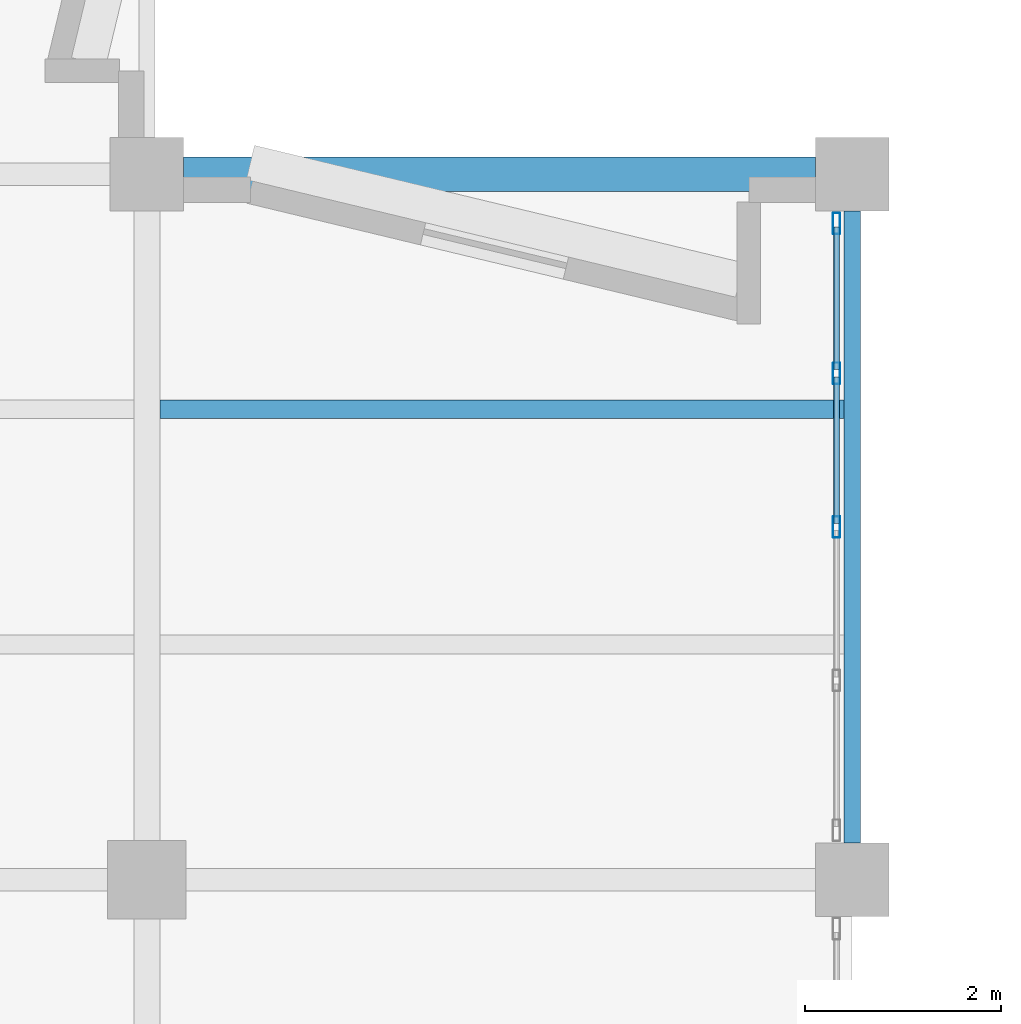
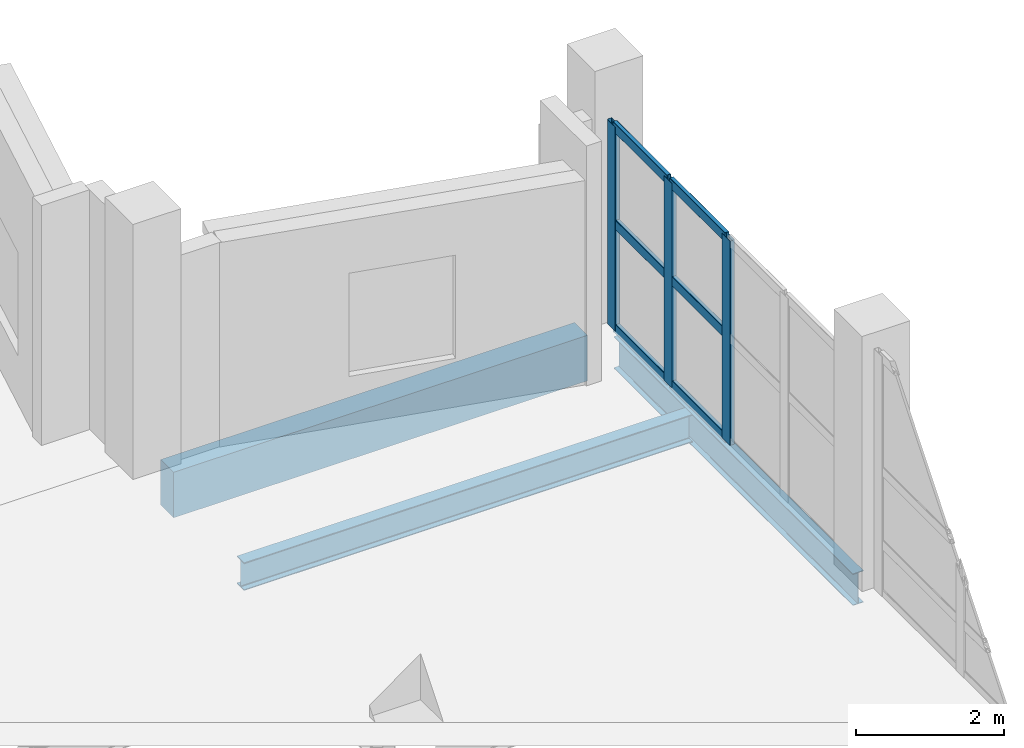
# One storey, part 31 of 94: 9 members, 3 beams, 1 element without a shape of its own.
"""IFC4 building model written with IfcOpenShell, lengths in metres."""

from ifc_helpers import new_model, si_unit, direction, frame, origin, origin_2d, place, context, subcontext, project, spatial, rectangle, hollow_rectangle, i_section, extrude, material, material_profile, profile_set, type_object, element, aggregate, save


model = new_model("IFC4")

# Units and contexts
model_context = context("Model", 3, precision=1e-05, world=origin(), true_north=direction((0.0, 1.0)))
body_context = subcontext(model_context, "Body", "Model", "MODEL_VIEW")
ifc_project = project(units=[si_unit("LENGTHUNIT", "METRE"), si_unit("AREAUNIT", "SQUARE_METRE"), si_unit("VOLUMEUNIT", "CUBIC_METRE"), si_unit("PLANEANGLEUNIT", "RADIAN"), si_unit("MASSUNIT", "GRAM", prefix="KILO")], contexts=[model_context])

# Site, building, storey
site_placement = place(None, origin())
site = spatial("IfcSite", under=ifc_project, at=site_placement, CompositionType="ELEMENT")
building_placement = place(site_placement, origin())
building = spatial("IfcBuilding", under=site, at=building_placement, Name="Kalmorath City Hall", CompositionType="ELEMENT")
storey_placement = place(building_placement, frame((0.0, 0.0, 14.699951171875)))
storey = spatial("IfcBuildingStorey", under=building, at=storey_placement, Name="L03", CompositionType="ELEMENT", Elevation=14.699951171875)

# Curtain wall, members
ifc_material_1 = material(Name="Anodised aluminium and laminated glass", Category="aluminium")
curtain_wall_type = type_object("IfcCurtainWallType", Name="Unitised hurricane curtain wall 6270x3366 M1500", PredefinedType="NOTDEFINED", material=ifc_material_1)
curtain_wall_placement = place(storey_placement, origin())
curtain_wall = element("IfcCurtainWall", 1, at=curtain_wall_placement, inside=storey, type_object=curtain_wall_type, Name="L03 curtain wall CW-63X34M15 #155", PredefinedType="NOTDEFINED")
ifc_material_2 = material(Name="Anodised aluminium framing", Category="aluminium")
ifc_material_profile_1 = material_profile(ifc_material_2, hollow_rectangle(XDim=0.074951171875, YDim=0.219970703125, WallThickness=0.00390625, InnerFilletRadius=0.00390625, OuterFilletRadius=0.008056640625, at=origin_2d()), Name="ALU-MUL-220X75X4")
ifc_profile_set_1 = profile_set([ifc_material_profile_1], Name="Anodised aluminium framing")
member_type_1 = type_object("IfcMemberType", Name="Curtain-wall primary mullion 220x75", PredefinedType="MULLION", material=ifc_profile_set_1)
member_1_placement = place(storey_placement, frame((35.840087890625, 35.49755859375, 0.0), z_axis=(0.0, 0.0, 1.0), x_axis=(1.0, 0.0, 0.0)))
member_1 = element("IfcMember", 2, at=member_1_placement, type_object=member_type_1, Name="CW-63X34M15 mullion 1", PredefinedType="MULLION", context=body_context, shape_type="SweptSolid", body=[
    extrude(hollow_rectangle(XDim=0.074951171875, YDim=0.219970703125, WallThickness=0.00390625, InnerFilletRadius=0.00390625, OuterFilletRadius=0.008056640625, at=origin_2d()), origin(), (0.0, 0.0, 1.0), 3.365966796875),
])
member_2_placement = place(storey_placement, frame((35.840087890625, 33.967529296875, 0.0), z_axis=(0.0, 0.0, 1.0), x_axis=(1.0, 0.0, 0.0)))
member_2 = element("IfcMember", 3, at=member_2_placement, type_object=member_type_1, Name="CW-63X34M15 mullion 2", PredefinedType="MULLION", context=body_context, shape_type="SweptSolid", body=[
    extrude(hollow_rectangle(XDim=0.074951171875, YDim=0.219970703125, WallThickness=0.00390625, InnerFilletRadius=0.00390625, OuterFilletRadius=0.008056640625, at=origin_2d()), origin(), (0.0, 0.0, 1.0), 3.365966796875),
])
member_3_placement = place(storey_placement, frame((35.840087890625, 32.39990234375, 0.0), z_axis=(0.0, 0.0, 1.0), x_axis=(1.0, 0.0, 0.0)))
member_3 = element("IfcMember", 4, at=member_3_placement, type_object=member_type_1, Name="CW-63X34M15 mullion 3", PredefinedType="MULLION", context=body_context, shape_type="SweptSolid", body=[
    extrude(hollow_rectangle(XDim=0.074951171875, YDim=0.219970703125, WallThickness=0.00390625, InnerFilletRadius=0.00390625, OuterFilletRadius=0.008056640625, at=origin_2d()), origin(), (0.0, 0.0, 1.0), 3.365966796875),
])
ifc_material_3 = material(Name="Anodised aluminium framing", Category="aluminium")
ifc_material_profile_2 = material_profile(ifc_material_3, hollow_rectangle(XDim=0.06494140625, YDim=0.159912109375, WallThickness=0.00390625, InnerFilletRadius=0.00390625, OuterFilletRadius=0.008056640625, at=origin_2d()), Name="ALU-TRN-160X65X4")
ifc_profile_set_2 = profile_set([ifc_material_profile_2], Name="Anodised aluminium framing")
member_type_2 = type_object("IfcMemberType", Name="Curtain-wall primary transom 160x65", PredefinedType="USERDEFINED", material=ifc_profile_set_2)
member_4_placement = place(storey_placement, frame((35.840087890625, 35.4599609375, 0.032470703125), z_axis=(0.0, -1.0, 0.0), x_axis=(1.0, 0.0, 0.0)))
member_4 = element("IfcMember", 5, at=member_4_placement, type_object=member_type_2, Name="CW-63X34M15 transom 1.1", ObjectType="TRANSOM", PredefinedType="USERDEFINED", context=body_context, shape_type="SweptSolid", body=[
    extrude(hollow_rectangle(XDim=0.06494140625, YDim=0.159912109375, WallThickness=0.00390625, InnerFilletRadius=0.00390625, OuterFilletRadius=0.008056640625, at=origin_2d()), origin(), (0.0, 0.0, 1.0), 1.455078125),
])
member_5_placement = place(storey_placement, frame((35.840087890625, 35.4599609375, 1.75), z_axis=(0.0, -1.0, 0.0), x_axis=(1.0, 0.0, 0.0)))
member_5 = element("IfcMember", 6, at=member_5_placement, type_object=member_type_2, Name="CW-63X34M15 transom 1.2", ObjectType="TRANSOM", PredefinedType="USERDEFINED", context=body_context, shape_type="SweptSolid", body=[
    extrude(hollow_rectangle(XDim=0.06494140625, YDim=0.159912109375, WallThickness=0.00390625, InnerFilletRadius=0.00390625, OuterFilletRadius=0.008056640625, at=origin_2d()), origin(), (0.0, 0.0, 1.0), 1.455078125),
])
member_6_placement = place(storey_placement, frame((35.840087890625, 35.4599609375, 3.33349609375), z_axis=(0.0, -1.0, 0.0), x_axis=(1.0, 0.0, 0.0)))
member_6 = element("IfcMember", 7, at=member_6_placement, type_object=member_type_2, Name="CW-63X34M15 transom 1.3", ObjectType="TRANSOM", PredefinedType="USERDEFINED", context=body_context, shape_type="SweptSolid", body=[
    extrude(hollow_rectangle(XDim=0.06494140625, YDim=0.159912109375, WallThickness=0.00390625, InnerFilletRadius=0.00390625, OuterFilletRadius=0.008056640625, at=origin_2d()), origin(), (0.0, 0.0, 1.0), 1.455078125),
])
member_7_placement = place(storey_placement, frame((35.840087890625, 33.929931640625, 0.032470703125), z_axis=(0.0, -1.0, 0.0), x_axis=(1.0, 0.0, 0.0)))
member_7 = element("IfcMember", 8, at=member_7_placement, type_object=member_type_2, Name="CW-63X34M15 transom 2.1", ObjectType="TRANSOM", PredefinedType="USERDEFINED", context=body_context, shape_type="SweptSolid", body=[
    extrude(hollow_rectangle(XDim=0.06494140625, YDim=0.159912109375, WallThickness=0.00390625, InnerFilletRadius=0.00390625, OuterFilletRadius=0.008056640625, at=origin_2d()), origin(), (0.0, 0.0, 1.0), 1.492431640625),
])
member_8_placement = place(storey_placement, frame((35.840087890625, 33.929931640625, 1.75), z_axis=(0.0, -1.0, 0.0), x_axis=(1.0, 0.0, 0.0)))
member_8 = element("IfcMember", 9, at=member_8_placement, type_object=member_type_2, Name="CW-63X34M15 transom 2.2", ObjectType="TRANSOM", PredefinedType="USERDEFINED", context=body_context, shape_type="SweptSolid", body=[
    extrude(hollow_rectangle(XDim=0.06494140625, YDim=0.159912109375, WallThickness=0.00390625, InnerFilletRadius=0.00390625, OuterFilletRadius=0.008056640625, at=origin_2d()), origin(), (0.0, 0.0, 1.0), 1.492431640625),
])
member_9_placement = place(storey_placement, frame((35.840087890625, 33.929931640625, 3.33349609375), z_axis=(0.0, -1.0, 0.0), x_axis=(1.0, 0.0, 0.0)))
member_9 = element("IfcMember", 10, at=member_9_placement, type_object=member_type_2, Name="CW-63X34M15 transom 2.3", ObjectType="TRANSOM", PredefinedType="USERDEFINED", context=body_context, shape_type="SweptSolid", body=[
    extrude(hollow_rectangle(XDim=0.06494140625, YDim=0.159912109375, WallThickness=0.00390625, InnerFilletRadius=0.00390625, OuterFilletRadius=0.008056640625, at=origin_2d()), origin(), (0.0, 0.0, 1.0), 1.492431640625),
])
aggregate(curtain_wall, [member_1, member_2, member_3, member_4, member_5, member_6, member_7, member_8, member_9])

# Beams
ifc_material_4 = material(Name="Precast concrete C40/50", Category="concrete")
ifc_material_profile_3 = material_profile(ifc_material_4, rectangle(XDim=0.35009765625, YDim=0.75, at=origin_2d()), Name="PC-SP-350X750")
ifc_profile_set_3 = profile_set([ifc_material_profile_3], Name="Precast concrete C40/50")
beam_type_1 = type_object("IfcBeamType", Name="Precast spandrel lintel 350x750", PredefinedType="LINTEL", material=ifc_profile_set_3)
beam_1_placement = place(storey_placement, frame((29.175048828125, 36.0, -0.638916015625), z_axis=(1.0, 0.0, 0.0), x_axis=(0.0, 1.0, 0.0)))
element("IfcBeam", 11, at=beam_1_placement, inside=storey, type_object=beam_type_1, Name="L03 girder PSB1 X5-6/6", PredefinedType="LINTEL", context=body_context, shape_type="SweptSolid", body=[
    extrude(rectangle(XDim=0.35009765625, YDim=0.75, at=origin_2d()), origin(), (0.0, 0.0, 1.0), 6.449951171875),
])
ifc_material_5 = material(Name="Steel ASTM A992 Grade 50", Category="steel")
ifc_material_profile_4 = material_profile(ifc_material_5, i_section(OverallWidth=0.19091796875, OverallDepth=0.45703125, WebThickness=0.009033203125, FlangeThickness=0.014404296875, FilletRadius=0.013916015625, at=origin_2d()), Name="W18X50")
ifc_profile_set_4 = profile_set([ifc_material_profile_4], Name="Steel ASTM A992 Grade 50")
beam_type_2 = type_object("IfcBeamType", Name="Steel composite joist W18X50", PredefinedType="JOIST", material=ifc_profile_set_4)
beam_2_placement = place(storey_placement, frame((28.93408203125, 33.60009765625, -0.492431640625), z_axis=(1.0, 0.0, 0.0), x_axis=(0.0, 1.0, 0.0)))
element("IfcBeam", 12, at=beam_2_placement, inside=storey, type_object=beam_type_2, Name="L03 joist SJ3 5.5.2", PredefinedType="JOIST", context=body_context, shape_type="SweptSolid", body=[
    extrude(i_section(OverallWidth=0.19091796875, OverallDepth=0.45703125, WebThickness=0.009033203125, FlangeThickness=0.014404296875, FilletRadius=0.013916015625, at=origin_2d()), origin(), (0.0, 0.0, 1.0), 6.9833984375),
])
ifc_material_6 = material(Name="Steel ASTM A992 Grade 50", Category="steel")
ifc_material_profile_5 = material_profile(ifc_material_6, i_section(OverallWidth=0.1650390625, OverallDepth=0.52490234375, WebThickness=0.0087890625, FlangeThickness=0.011474609375, FilletRadius=0.014892578125, at=origin_2d()), Name="W21X44")
ifc_profile_set_5 = profile_set([ifc_material_profile_5], Name="Steel ASTM A992 Grade 50")
beam_type_3 = type_object("IfcBeamType", Name="Steel spandrel beam W21X44", PredefinedType="SPANDREL", material=ifc_profile_set_5)
beam_3_placement = place(storey_placement, frame((36.0, 29.175048828125, -0.5263671875), z_axis=(0.0, 1.0, 0.0), x_axis=(-1.0, 0.0, 0.0)))
element("IfcBeam", 13, at=beam_3_placement, inside=storey, type_object=beam_type_3, Name="L03 girder SB4 Y6/5-6", PredefinedType="SPANDREL", context=body_context, shape_type="SweptSolid", body=[
    extrude(i_section(OverallWidth=0.1650390625, OverallDepth=0.52490234375, WebThickness=0.0087890625, FlangeThickness=0.011474609375, FilletRadius=0.014892578125, at=origin_2d()), origin(), (0.0, 0.0, 1.0), 6.449951171875),
])

save(model, "model.ifc")
